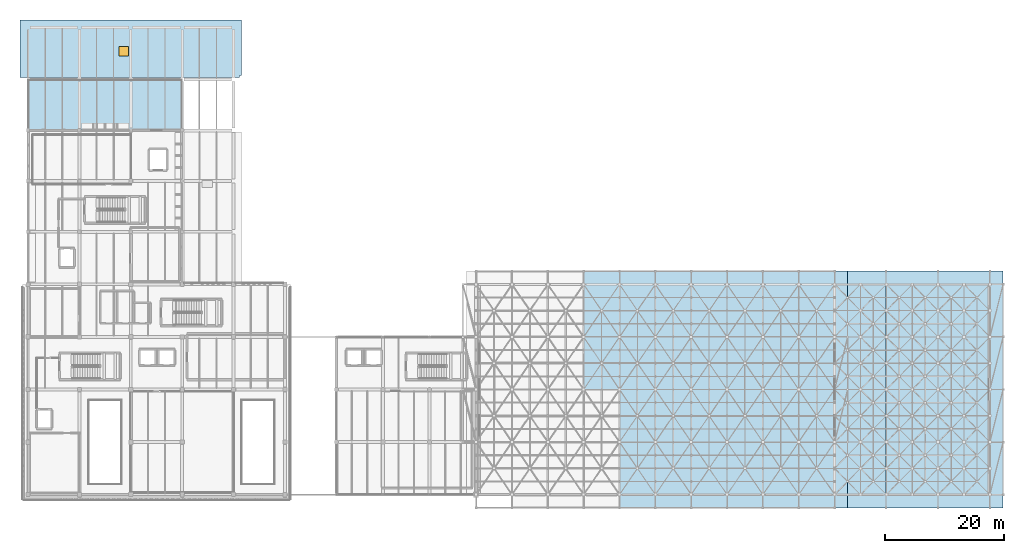
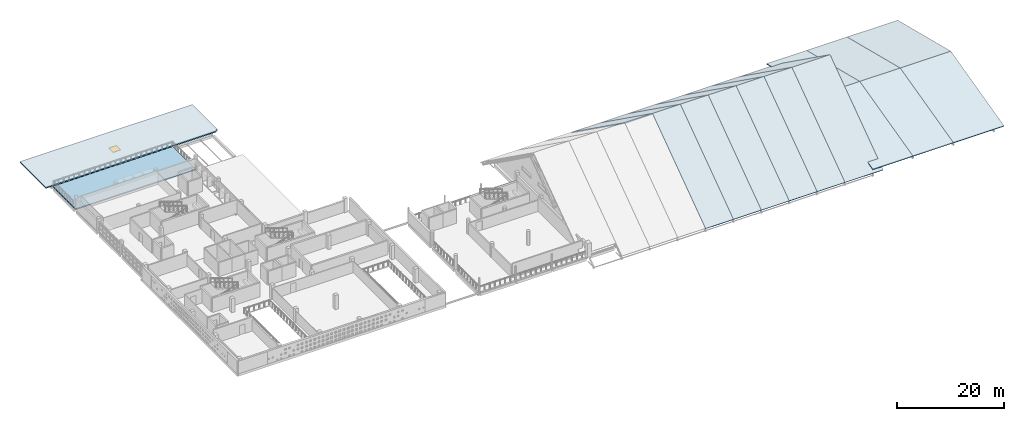
# One storey, part 36 of 55: 21 slabs, 1 window, 1 opening.
"""IFC4 building model written with IfcOpenShell, lengths in metres."""

from ifc_helpers import new_model, si_unit, direction, frame, origin, origin_2d, place, context, subcontext, project, spatial, polyline, rectangle, outline, extrude, material, layer, layer_set, type_object, element, fill, save


model = new_model("IFC4")

# Units and contexts
model_context = context("Model", 3, precision=1e-05, world=origin(), true_north=direction((0.0, 1.0)))
body_context = subcontext(model_context, "Body", "Model", "MODEL_VIEW")
ifc_project = project(units=[si_unit("LENGTHUNIT", "METRE"), si_unit("AREAUNIT", "SQUARE_METRE"), si_unit("VOLUMEUNIT", "CUBIC_METRE"), si_unit("PLANEANGLEUNIT", "RADIAN"), si_unit("MASSUNIT", "GRAM", prefix="KILO")], contexts=[model_context])

# Site, building, storey
site_placement = place(None, origin())
site = spatial("IfcSite", under=ifc_project, at=site_placement, CompositionType="ELEMENT")
building_placement = place(site_placement, origin())
building = spatial("IfcBuilding", under=site, at=building_placement, Name="Varnakota Cinema and Media Centre", CompositionType="ELEMENT")
storey_placement = place(building_placement, frame((0.0, 0.0, 15.60009765625)))
storey = spatial("IfcBuildingStorey", under=building, at=storey_placement, Name="L04", CompositionType="ELEMENT", Elevation=15.60009765625)

# Slabs
ifc_material_1 = material(Name="Precast concrete M40", Category="concrete")
ifc_layer_1 = layer(ifc_material_1, 0.14990234375)
ifc_layer_set_1 = layer_set([ifc_layer_1], Name="Precast concrete M40")
slab_type_1 = type_object("IfcSlabType", Name="SLB-ROOF-150", PredefinedType="ROOF", material=ifc_layer_set_1)
slab_1_placement = place(storey_placement, frame((135.0, -2.199951171875, 0.0498046875), z_axis=(0.0, -0.242544068881, 0.970140389145), x_axis=(1.0, 0.0, 0.0)))
element("IfcSlab", 1, at=slab_1_placement, inside=storey, type_object=slab_type_1, Name="V2 broadcast hall S roof deck 1", PredefinedType="ROOF", context=body_context, shape_type="SweptSolid", body=[
    extrude(outline(polyline([(0.0, 0.0), (8.60009765625, 0.0), (8.60009765625, 20.40946758805901), (0.0, 20.40946758805901), (0.0, 0.0)])), origin(), (0.0, 0.0, -1.0), 0.14990234375),
])
slab_2_placement = place(storey_placement, frame((135.0, 17.60009765625, 5.0), z_axis=(0.0, 0.242546883622, 0.970139685429), x_axis=(1.0, 0.0, 0.0)))
element("IfcSlab", 2, at=slab_2_placement, inside=storey, type_object=slab_type_1, Name="V2 broadcast hall N roof deck 1", PredefinedType="ROOF", context=body_context, shape_type="SweptSolid", body=[
    extrude(outline(polyline([(0.0, 0.0), (8.60009765625, 0.0), (8.60009765625, 20.409230737463965), (0.0, 20.409230737463965), (0.0, 0.0)])), origin(), (0.0, 0.0, -1.0), 0.14990234375),
])
slab_3_placement = place(storey_placement, frame((143.60009765625, -2.199951171875, 0.0498046875), z_axis=(0.0, -0.242544068881, 0.970140389145), x_axis=(1.0, 0.0, 0.0)))
element("IfcSlab", 3, at=slab_3_placement, inside=storey, type_object=slab_type_1, Name="V2 broadcast hall S roof deck 2", PredefinedType="ROOF", context=body_context, shape_type="SweptSolid", body=[
    extrude(outline(polyline([(0.0, 0.0), (8.699951171875, 0.0), (8.699951171875, 20.40946758805901), (0.0, 20.40946758805901), (0.0, 0.0)])), origin(), (0.0, 0.0, -1.0), 0.14990234375),
])
slab_4_placement = place(storey_placement, frame((143.60009765625, 17.60009765625, 5.0), z_axis=(0.0, 0.242546883622, 0.970139685429), x_axis=(1.0, 0.0, 0.0)))
element("IfcSlab", 4, at=slab_4_placement, inside=storey, type_object=slab_type_1, Name="V2 broadcast hall N roof deck 2", PredefinedType="ROOF", context=body_context, shape_type="SweptSolid", body=[
    extrude(outline(polyline([(0.0, 0.0), (8.699951171875, 0.0), (8.699951171875, 20.409230737463968), (0.0, 20.409230737463968), (0.0, 0.0)])), origin(), (0.0, 0.0, -1.0), 0.14990234375),
])
slab_5_placement = place(storey_placement, frame((152.300048828125, -2.199951171875, 0.0498046875), z_axis=(0.0, -0.242544068881, 0.970140389145), x_axis=(1.0, 0.0, 0.0)))
element("IfcSlab", 5, at=slab_5_placement, inside=storey, type_object=slab_type_1, Name="V2 broadcast hall S roof deck 3", PredefinedType="ROOF", context=body_context, shape_type="SweptSolid", body=[
    extrude(outline(polyline([(0.0, 0.0), (10.89990234375, 0.0), (10.89990234375, 20.40946758805901), (0.0, 20.40946758805901), (0.0, 0.0)])), origin(), (0.0, 0.0, -1.0), 0.14990234375),
])
slab_6_placement = place(storey_placement, frame((152.300048828125, 17.60009765625, 5.0), z_axis=(0.0, 0.242546883622, 0.970139685429), x_axis=(1.0, 0.0, 0.0)))
element("IfcSlab", 6, at=slab_6_placement, inside=storey, type_object=slab_type_1, Name="V2 broadcast hall N roof deck 3", PredefinedType="ROOF", context=body_context, shape_type="SweptSolid", body=[
    extrude(outline(polyline([(0.0, 0.0), (10.89990234375, 0.0), (10.89990234375, 20.409230737463965), (0.0, 20.409230737463965), (0.0, 0.0)])), origin(), (0.0, 0.0, -1.0), 0.14990234375),
])
ifc_material_2 = material(Name="Precast concrete M40", Category="concrete")
ifc_layer_2 = layer(ifc_material_2, 0.179931640625)
ifc_layer_set_2 = layer_set([ifc_layer_2], Name="Precast concrete M40")
slab_type_2 = type_object("IfcSlabType", Name="SLB-ROOF-180", PredefinedType="ROOF", material=ifc_layer_set_2)
slab_7_placement = place(storey_placement, frame((93.0, 17.60009765625, 13.329833984375), z_axis=(0.0, 0.582117022421, 0.813105019175), x_axis=(1.0, 0.0, 0.0)))
element("IfcSlab", 7, at=slab_7_placement, inside=storey, type_object=slab_type_2, Name="V1 space-frame N roof deck bay 4", PredefinedType="ROOF", context=body_context, shape_type="SweptSolid", body=[
    extrude(outline(polyline([(0.0, 0.0), (6.0, 0.0), (6.0, 24.35085778659296), (0.0, 24.35085778659296), (0.0, 0.0)])), origin(), (0.0, 0.0, -1.0), 0.179931640625),
])
slab_8_placement = place(storey_placement, frame((99.0, -2.199951171875, -0.84521484375), z_axis=(0.0, -0.582112276941, 0.813108416531), x_axis=(1.0, 0.0, 0.0)))
element("IfcSlab", 8, at=slab_8_placement, inside=storey, type_object=slab_type_2, Name="V1 space-frame S roof deck bay 5", PredefinedType="ROOF", context=body_context, shape_type="SweptSolid", body=[
    extrude(outline(polyline([(0.0, 0.0), (6.0, 0.0), (6.0, 24.351056298975248), (0.0, 24.351056298975248), (0.0, 0.0)])), origin(), (0.0, 0.0, -1.0), 0.179931640625),
])
slab_9_placement = place(storey_placement, frame((99.0, 17.60009765625, 13.329833984375), z_axis=(0.0, 0.582117022421, 0.813105019175), x_axis=(1.0, 0.0, 0.0)))
element("IfcSlab", 9, at=slab_9_placement, inside=storey, type_object=slab_type_2, Name="V1 space-frame N roof deck bay 5", PredefinedType="ROOF", context=body_context, shape_type="SweptSolid", body=[
    extrude(outline(polyline([(0.0, 0.0), (6.0, 0.0), (6.0, 24.35085778659296), (0.0, 24.35085778659296), (0.0, 0.0)])), origin(), (0.0, 0.0, -1.0), 0.179931640625),
])
slab_10_placement = place(storey_placement, frame((105.0, -2.199951171875, -0.84521484375), z_axis=(0.0, -0.582112276941, 0.813108416531), x_axis=(1.0, 0.0, 0.0)))
element("IfcSlab", 10, at=slab_10_placement, inside=storey, type_object=slab_type_2, Name="V1 space-frame S roof deck bay 6", PredefinedType="ROOF", context=body_context, shape_type="SweptSolid", body=[
    extrude(outline(polyline([(0.0, 0.0), (6.0, 0.0), (6.0, 24.351056298975248), (0.0, 24.351056298975248), (0.0, 0.0)])), origin(), (0.0, 0.0, -1.0), 0.179931640625),
])
slab_11_placement = place(storey_placement, frame((105.0, 17.60009765625, 13.329833984375), z_axis=(0.0, 0.582117022421, 0.813105019175), x_axis=(1.0, 0.0, 0.0)))
element("IfcSlab", 11, at=slab_11_placement, inside=storey, type_object=slab_type_2, Name="V1 space-frame N roof deck bay 6", PredefinedType="ROOF", context=body_context, shape_type="SweptSolid", body=[
    extrude(outline(polyline([(0.0, 0.0), (6.0, 0.0), (6.0, 24.35085778659296), (0.0, 24.35085778659296), (0.0, 0.0)])), origin(), (0.0, 0.0, -1.0), 0.179931640625),
])
slab_12_placement = place(storey_placement, frame((111.0, -2.199951171875, -0.84521484375), z_axis=(0.0, -0.582112276941, 0.813108416531), x_axis=(1.0, 0.0, 0.0)))
element("IfcSlab", 12, at=slab_12_placement, inside=storey, type_object=slab_type_2, Name="V1 space-frame S roof deck bay 7", PredefinedType="ROOF", context=body_context, shape_type="SweptSolid", body=[
    extrude(outline(polyline([(0.0, 0.0), (6.0, 0.0), (6.0, 24.351056298975248), (0.0, 24.351056298975248), (0.0, 0.0)])), origin(), (0.0, 0.0, -1.0), 0.179931640625),
])
slab_13_placement = place(storey_placement, frame((111.0, 17.60009765625, 13.329833984375), z_axis=(0.0, 0.582117022421, 0.813105019175), x_axis=(1.0, 0.0, 0.0)))
element("IfcSlab", 13, at=slab_13_placement, inside=storey, type_object=slab_type_2, Name="V1 space-frame N roof deck bay 7", PredefinedType="ROOF", context=body_context, shape_type="SweptSolid", body=[
    extrude(outline(polyline([(0.0, 0.0), (6.0, 0.0), (6.0, 24.35085778659296), (0.0, 24.35085778659296), (0.0, 0.0)])), origin(), (0.0, 0.0, -1.0), 0.179931640625),
])
slab_14_placement = place(storey_placement, frame((117.0, -2.199951171875, -0.84521484375), z_axis=(0.0, -0.582112276941, 0.813108416531), x_axis=(1.0, 0.0, 0.0)))
element("IfcSlab", 14, at=slab_14_placement, inside=storey, type_object=slab_type_2, Name="V1 space-frame S roof deck bay 8", PredefinedType="ROOF", context=body_context, shape_type="SweptSolid", body=[
    extrude(outline(polyline([(0.0, 0.0), (6.0, 0.0), (6.0, 24.351056298975248), (0.0, 24.351056298975248), (0.0, 0.0)])), origin(), (0.0, 0.0, -1.0), 0.179931640625),
])
slab_15_placement = place(storey_placement, frame((117.0, 17.60009765625, 13.329833984375), z_axis=(0.0, 0.582117022421, 0.813105019175), x_axis=(1.0, 0.0, 0.0)))
element("IfcSlab", 15, at=slab_15_placement, inside=storey, type_object=slab_type_2, Name="V1 space-frame N roof deck bay 8", PredefinedType="ROOF", context=body_context, shape_type="SweptSolid", body=[
    extrude(outline(polyline([(0.0, 0.0), (6.0, 0.0), (6.0, 24.35085778659296), (0.0, 24.35085778659296), (0.0, 0.0)])), origin(), (0.0, 0.0, -1.0), 0.179931640625),
])
slab_16_placement = place(storey_placement, frame((123.0, -2.199951171875, -0.84521484375), z_axis=(0.0, -0.582112276941, 0.813108416531), x_axis=(1.0, 0.0, 0.0)))
element("IfcSlab", 16, at=slab_16_placement, inside=storey, type_object=slab_type_2, Name="V1 space-frame S roof deck bay 9", PredefinedType="ROOF", context=body_context, shape_type="SweptSolid", body=[
    extrude(outline(polyline([(0.0, 0.0), (6.0, 0.0), (6.0, 24.351056298975248), (0.0, 24.351056298975248), (0.0, 0.0)])), origin(), (0.0, 0.0, -1.0), 0.179931640625),
])
slab_17_placement = place(storey_placement, frame((123.0, 17.60009765625, 13.329833984375), z_axis=(0.0, 0.582117022421, 0.813105019175), x_axis=(1.0, 0.0, 0.0)))
element("IfcSlab", 17, at=slab_17_placement, inside=storey, type_object=slab_type_2, Name="V1 space-frame N roof deck bay 9", PredefinedType="ROOF", context=body_context, shape_type="SweptSolid", body=[
    extrude(outline(polyline([(0.0, 0.0), (6.0, 0.0), (6.0, 24.35085778659296), (0.0, 24.35085778659296), (0.0, 0.0)])), origin(), (0.0, 0.0, -1.0), 0.179931640625),
])
slab_18_placement = place(storey_placement, frame((129.0, -2.199951171875, -0.84521484375), z_axis=(0.0, -0.582112276941, 0.813108416531), x_axis=(1.0, 0.0, 0.0)))
element("IfcSlab", 18, at=slab_18_placement, inside=storey, type_object=slab_type_2, Name="V1 space-frame S roof deck bay 10", PredefinedType="ROOF", context=body_context, shape_type="SweptSolid", body=[
    extrude(outline(polyline([(0.0, 0.0), (8.199951171875, 0.0), (8.199951171875, 24.351056298975248), (0.0, 24.351056298975248), (0.0, 0.0)])), origin(), (0.0, 0.0, -1.0), 0.179931640625),
])
slab_19_placement = place(storey_placement, frame((129.0, 17.60009765625, 13.329833984375), z_axis=(0.0, 0.582117022421, 0.813105019175), x_axis=(1.0, 0.0, 0.0)))
element("IfcSlab", 19, at=slab_19_placement, inside=storey, type_object=slab_type_2, Name="V1 space-frame N roof deck bay 10", PredefinedType="ROOF", context=body_context, shape_type="SweptSolid", body=[
    extrude(outline(polyline([(0.0, 0.0), (8.199951171875, 0.0), (8.199951171875, 24.35085778659296), (0.0, 24.35085778659296), (0.0, 0.0)])), origin(), (0.0, 0.0, -1.0), 0.179931640625),
])

# Slab, opening, window
ifc_material_3 = material(Name="Concrete M35", Category="concrete")
ifc_layer_3 = layer(ifc_material_3, 0.25)
ifc_layer_set_3 = layer_set([ifc_layer_3], Name="Concrete M35")
slab_type_3 = type_object("IfcSlabType", Name="SLB-ROOF-250", PredefinedType="ROOF", material=ifc_layer_set_3)
slab_20_placement = place(storey_placement, frame((0.0, 0.0, -0.25)))
slab_20 = element("IfcSlab", 20, at=slab_20_placement, inside=storey, type_object=slab_type_3, Name="L04 overhanging cool roof ROOF-V5-STAGE-N", PredefinedType="ROOF", context=body_context, shape_type="SweptSolid", body=[
    extrude(outline(polyline([(-1.35009765625, 69.800048828125), (35.39990234375, 69.800048828125), (35.39990234375, 70.14990234375), (35.75, 70.14990234375), (35.75, 79.449951171875), (-1.35009765625, 79.449951171875), (-1.35009765625, 69.800048828125)])), origin(), (0.0, 0.0, 1.0), 0.25),
])
opening_placement = place(slab_20_placement, frame((16.0, 74.199951171875, 0.0)))
opening = element("IfcOpeningElement", 21, at=opening_placement, cuts=slab_20, Name="Opening SK2", PredefinedType="OPENING", context=body_context, shape_type="SweptSolid", body=[
    extrude(rectangle(XDim=1.60009765625, YDim=1.60009765625, at=origin_2d()), origin(), (0.0, 0.0, 1.0), 0.25),
])
ifc_material_4 = material(Name="Laminated solar-control double glazing", Category="glass")
window_type = type_object("IfcWindowType", Name="SKY-HATCH-2", PartitioningType="SINGLE_PANEL", PredefinedType="SKYLIGHT", material=ifc_material_4)
window_placement = place(opening_placement, frame((0.0, 0.0, 0.199951171875)))
window = element("IfcWindow", 22, at=window_placement, inside=storey, type_object=window_type, Name="L04 acoustic smoke-vent skylight SKY-L04-1", OverallHeight=1.60009765625, OverallWidth=1.60009765625, PartitioningType="SINGLE_PANEL", PredefinedType="SKYLIGHT", context=body_context, shape_type="SweptSolid", body=[
    extrude(rectangle(XDim=1.60009765625, YDim=1.60009765625, at=origin_2d()), origin(), (0.0, 0.0, 1.0), 0.050048828125),
])
fill(opening, window)

# Slab
ifc_material_5 = material(Name="Concrete M35", Category="concrete")
ifc_layer_4 = layer(ifc_material_5, 0.219970703125)
ifc_layer_set_4 = layer_set([ifc_layer_4], Name="Concrete M35")
slab_type_4 = type_object("IfcSlabType", Name="SLB-TERR-220", PredefinedType="FLOOR", material=ifc_layer_set_4)
slab_21_placement = place(storey_placement, frame((0.0, 0.0, -0.25)))
element("IfcSlab", 23, at=slab_21_placement, inside=storey, type_object=slab_type_4, Name="L04 Level 04 Studio Refuge Terrace", PredefinedType="FLOOR", context=body_context, shape_type="SweptSolid", body=[
    extrude(outline(polyline([(0.0, 61.0), (25.800048828125, 61.0), (25.800048828125, 69.5), (0.0, 69.5), (0.0, 61.0)])), origin(), (0.0, 0.0, 1.0), 0.25),
])

save(model, "model.ifc")
